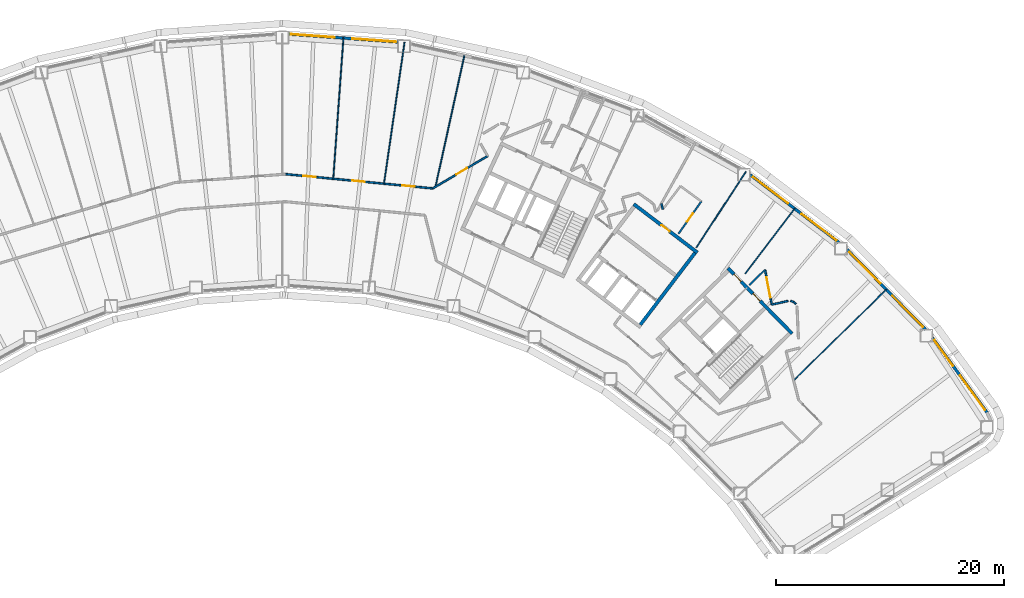
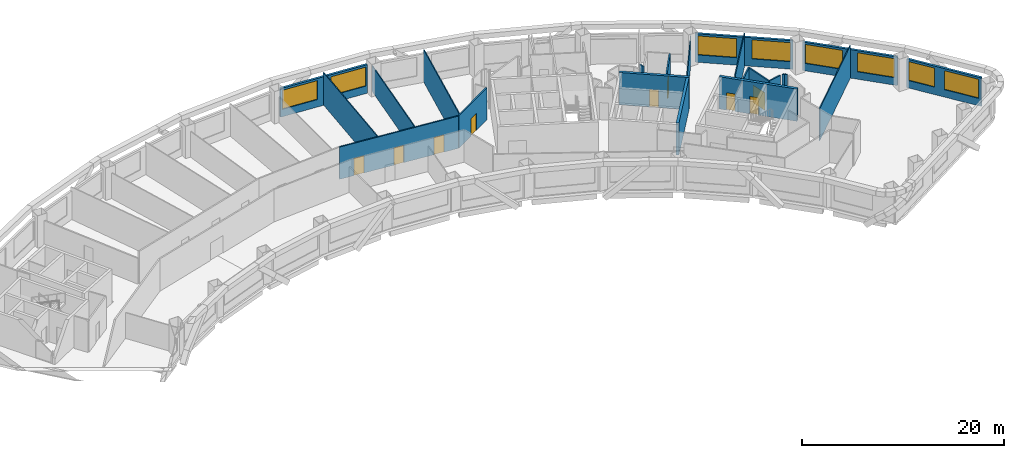
# One storey, part 8 of 16: 22 walls, 9 doors, 8 windows, 17 openings.
"""IFC4 building model written with IfcOpenShell, lengths in metres."""

from ifc_helpers import new_model, si_unit, direction, frame, frame_2d, origin, place, context, subcontext, project, spatial, rectangle, extrude, material, layer, layer_set, type_object, element, fill, save


model = new_model("IFC4")

# Units and contexts
model_context = context("Model", 3, precision=1e-05, world=origin(), true_north=direction((0.0, 1.0)))
body_context = subcontext(model_context, "Body", "Model", "MODEL_VIEW")
ifc_project = project(units=[si_unit("LENGTHUNIT", "METRE"), si_unit("AREAUNIT", "SQUARE_METRE"), si_unit("VOLUMEUNIT", "CUBIC_METRE"), si_unit("PLANEANGLEUNIT", "RADIAN"), si_unit("MASSUNIT", "GRAM", prefix="KILO")], contexts=[model_context])

# Site, building, storey
site_placement = place(None, origin())
site = spatial("IfcSite", under=ifc_project, at=site_placement, CompositionType="ELEMENT")
building_placement = place(site_placement, origin())
building = spatial("IfcBuilding", under=site, at=building_placement, Name="Tuul Gate Civic Tower", CompositionType="ELEMENT")
storey_placement = place(building_placement, frame((0.0, 0.0, 124.5)))
storey = spatial("IfcBuildingStorey", under=building, at=storey_placement, Name="Level 28", CompositionType="ELEMENT", Elevation=124.5)

# Wall, openings, doors
ifc_material_1 = material(Name="Concrete C50/60", Category="concrete")
ifc_layer_1 = layer(ifc_material_1, 0.300048828125)
ifc_layer_set_1 = layer_set([ifc_layer_1], Name="Concrete C50/60")
wall_type_1 = type_object("IfcWallType", Name="Core wall C50/60", PredefinedType="SHEAR", material=ifc_layer_set_1)
wall_1_placement = place(storey_placement, frame((54.43798828125, -12.23779296875, 0.0), z_axis=(0.0, 0.0, 1.0), x_axis=(-0.700021979774, 0.714121297703, 0.0)))
wall_1 = element("IfcWall", 1, at=wall_1_placement, inside=storey, type_object=wall_type_1, Name="Core wall", PredefinedType="SHEAR", context=body_context, shape_type="SweptSolid", body=[
    extrude(rectangle(XDim=8.0, YDim=0.300048828125, at=frame_2d((4.0, 0.0))), origin(), (0.0, 0.0, 1.0), 3.89990234375),
])
opening_1_placement = place(wall_1_placement, frame((3.987548828125, 0.0, 0.0)))
opening_1 = element("IfcOpeningElement", 2, at=opening_1_placement, cuts=wall_1, Name="Opening I-D29", PredefinedType="OPENING", context=body_context, shape_type="SweptSolid", body=[
    extrude(rectangle(XDim=0.89990234375, YDim=2.10009765625, at=frame_2d((0.449951171875, 1.050048828125))), frame((0.0, 0.16015625, 0.0), z_axis=(0.0, -1.0, 0.0), x_axis=(1.0, 0.0, 0.0)), (0.0, 0.0, 1.0), 0.320068359375),
])
opening_2_placement = place(wall_1_placement, frame((6.362548828125, 0.0, 0.0)))
opening_2 = element("IfcOpeningElement", 3, at=opening_2_placement, cuts=wall_1, Name="Opening I-D30", PredefinedType="OPENING", context=body_context, shape_type="SweptSolid", body=[
    extrude(rectangle(XDim=0.89990234375, YDim=2.10009765625, at=frame_2d((0.449951171875, 1.050048828125))), frame((0.0, 0.16015625, 0.0), z_axis=(0.0, -1.0, 0.0), x_axis=(1.0, 0.0, 0.0)), (0.0, 0.0, 1.0), 0.320068359375),
])
ifc_material_2 = material(Name="Timber door leaf", Category="wood")
door_type_1 = type_object("IfcDoorType", Name="Door D09", OperationType="NOTDEFINED", PredefinedType="DOOR", material=ifc_material_2)
door_1_placement = place(opening_1_placement, origin())
door_1 = element("IfcDoor", 4, at=door_1_placement, inside=storey, type_object=door_type_1, Name="Door I-D29", OperationType="SINGLE_SWING_LEFT", OverallHeight=2.10009765625, OverallWidth=0.89990234375, PredefinedType="DOOR", context=body_context, shape_type="SweptSolid", body=[
    extrude(rectangle(XDim=0.89990234375, YDim=2.10009765625, at=frame_2d((0.449951171875, 1.050048828125))), frame((0.0, 0.02490234375, 0.0), z_axis=(0.0, -1.0, 0.0), x_axis=(1.0, 0.0, 0.0)), (0.0, 0.0, 1.0), 0.050048828125),
])
fill(opening_1, door_1)
door_2_placement = place(opening_2_placement, origin())
door_2 = element("IfcDoor", 5, at=door_2_placement, inside=storey, type_object=door_type_1, Name="Door I-D30", OperationType="SINGLE_SWING_LEFT", OverallHeight=2.10009765625, OverallWidth=0.89990234375, PredefinedType="DOOR", context=body_context, shape_type="SweptSolid", body=[
    extrude(rectangle(XDim=0.89990234375, YDim=2.10009765625, at=frame_2d((0.449951171875, 1.050048828125))), frame((0.0, 0.02490234375, 0.0), z_axis=(0.0, -1.0, 0.0), x_axis=(1.0, 0.0, 0.0)), (0.0, 0.0, 1.0), 0.050048828125),
])
fill(opening_2, door_2)

# Wall, opening, door
ifc_material_3 = material(Name="Gypsum board partition")
ifc_layer_2 = layer(ifc_material_3, 0.14990234375)
ifc_layer_set_2 = layer_set([ifc_layer_2], Name="Gypsum board partition")
wall_type_2 = type_object("IfcWallType", Name="Corridor wall P150", PredefinedType="PARTITIONING", material=ifc_layer_set_2)
wall_2_placement = place(storey_placement, frame((52.0830078125, -6.65283203125, 0.0), z_axis=(0.0, 0.0, 1.0), x_axis=(0.1884978137, -0.982073609375, 0.0)))
wall_2 = element("IfcWall", 6, at=wall_2_placement, inside=storey, type_object=wall_type_2, Name="p006", PredefinedType="PARTITIONING", context=body_context, shape_type="SweptSolid", body=[
    extrude(rectangle(XDim=3.1083984375, YDim=0.14990234375, at=frame_2d((1.55419921875, 0.0))), origin(), (0.0, 0.0, 1.0), 3.89990234375),
])
opening_3_placement = place(wall_2_placement, frame((0.676025390625, 0.0, 0.0)))
opening_3 = element("IfcOpeningElement", 7, at=opening_3_placement, cuts=wall_2, Name="Opening I-D02", PredefinedType="OPENING", context=body_context, shape_type="SweptSolid", body=[
    extrude(rectangle(XDim=1.800048828125, YDim=2.10009765625, at=frame_2d((0.89990234375, 1.050048828125))), frame((0.0, 0.0849609375, 0.0), z_axis=(0.0, -1.0, 0.0), x_axis=(1.0, 0.0, 0.0)), (0.0, 0.0, 1.0), 0.169921875),
])
ifc_material_4 = material(Name="Timber door leaf, double", Category="wood")
door_type_2 = type_object("IfcDoorType", Name="Door D18", OperationType="DOUBLE_DOOR_SINGLE_SWING", PredefinedType="DOOR", material=ifc_material_4)
door_3_placement = place(opening_3_placement, origin())
door_3 = element("IfcDoor", 8, at=door_3_placement, inside=storey, type_object=door_type_2, Name="Door I-D02", OperationType="DOUBLE_DOOR_SINGLE_SWING", OverallHeight=2.10009765625, OverallWidth=1.800048828125, PredefinedType="DOOR", context=body_context, shape_type="SweptSolid", body=[
    extrude(rectangle(XDim=1.800048828125, YDim=2.10009765625, at=frame_2d((0.89990234375, 1.050048828125))), frame((0.0, 0.02490234375, 0.0), z_axis=(0.0, -1.0, 0.0), x_axis=(1.0, 0.0, 0.0)), (0.0, 0.0, 1.0), 0.050048828125),
])
fill(opening_3, door_3)

# Walls
wall_3_placement = place(storey_placement, frame((54.574951171875, -9.47265625, 0.0), z_axis=(0.0, 0.0, 1.0), x_axis=(0.741948737012, -0.670456614291, 0.0)))
element("IfcWall", 9, at=wall_3_placement, inside=storey, type_object=wall_type_2, Name="p011", PredefinedType="PARTITIONING", context=body_context, shape_type="SweptSolid", body=[
    extrude(rectangle(XDim=0.280029296875, YDim=0.14990234375, at=frame_2d((0.14013671875, 0.0))), origin(), (0.0, 0.0, 1.0), 3.89990234375),
])
wall_4_placement = place(storey_placement, frame((54.3115234375, -9.37890625, 0.0), z_axis=(0.0, 0.0, 1.0), x_axis=(0.942116656324, -0.335285260453, 0.0)))
element("IfcWall", 10, at=wall_4_placement, inside=storey, type_object=wall_type_2, Name="p012", PredefinedType="PARTITIONING", context=body_context, shape_type="SweptSolid", body=[
    extrude(rectangle(XDim=0.279541015625, YDim=0.14990234375, at=frame_2d((0.1396484375, 0.0))), origin(), (0.0, 0.0, 1.0), 3.89990234375),
])
wall_5_placement = place(storey_placement, frame((52.6689453125, -9.70556640625, 0.0), z_axis=(0.0, 0.0, 1.0), x_axis=(0.976359687443, 0.216152170325, 0.0)))
element("IfcWall", 11, at=wall_5_placement, inside=storey, type_object=wall_type_2, Name="p013", PredefinedType="PARTITIONING", context=body_context, shape_type="SweptSolid", body=[
    extrude(rectangle(XDim=1.461669921875, YDim=0.14990234375, at=frame_2d((0.73095703125, 0.0))), origin(), (0.0, 0.0, 1.0), 3.89990234375),
])
wall_6_placement = place(storey_placement, frame((50.70654296875, -8.002685546875, 0.0), z_axis=(0.0, 0.0, 1.0), x_axis=(0.713912679862, 0.700234736022, 0.0)))
element("IfcWall", 12, at=wall_6_placement, inside=storey, type_object=wall_type_2, Name="p014", PredefinedType="PARTITIONING", context=body_context, shape_type="SweptSolid", body=[
    extrude(rectangle(XDim=1.927734375, YDim=0.14990234375, at=frame_2d((0.9638671875, 0.0))), origin(), (0.0, 0.0, 1.0), 3.89990234375),
])

# Wall, opening, door
wall_7_placement = place(storey_placement, frame((44.500244140625, -3.51318359375, 0.0), z_axis=(0.0, 0.0, 1.0), x_axis=(0.57627176107, 0.81725813388, 0.0)))
wall_7 = element("IfcWall", 13, at=wall_7_placement, inside=storey, type_object=wall_type_2, Name="p019", PredefinedType="PARTITIONING", context=body_context, shape_type="SweptSolid", body=[
    extrude(rectangle(XDim=3.471923828125, YDim=0.14990234375, at=frame_2d((1.73583984375, 0.0))), origin(), (0.0, 0.0, 1.0), 3.89990234375),
])
opening_4_placement = place(wall_7_placement, frame((1.285888671875, 0.0, 0.0)))
opening_4 = element("IfcOpeningElement", 14, at=opening_4_placement, cuts=wall_7, Name="Opening I-D041", PredefinedType="OPENING", context=body_context, shape_type="SweptSolid", body=[
    extrude(rectangle(XDim=0.89990234375, YDim=2.10009765625, at=frame_2d((0.449951171875, 1.050048828125))), frame((0.0, 0.0849609375, 0.0), z_axis=(0.0, -1.0, 0.0), x_axis=(1.0, 0.0, 0.0)), (0.0, 0.0, 1.0), 0.169921875),
])
door_4_placement = place(opening_4_placement, frame((0.89990234375, 0.0, 0.0), z_axis=(0.0, 0.0, 1.0), x_axis=(-1.0, 0.0, 0.0)))
door_4 = element("IfcDoor", 15, at=door_4_placement, inside=storey, type_object=door_type_1, Name="Door I-D04", OperationType="SINGLE_SWING_RIGHT", OverallHeight=2.10009765625, OverallWidth=0.89990234375, PredefinedType="DOOR", context=body_context, shape_type="SweptSolid", body=[
    extrude(rectangle(XDim=0.89990234375, YDim=2.10009765625, at=frame_2d((0.449951171875, 1.050048828125))), frame((0.0, 0.02490234375, 0.0), z_axis=(0.0, -1.0, 0.0), x_axis=(1.0, 0.0, 0.0)), (0.0, 0.0, 1.0), 0.050048828125),
])
fill(opening_4, door_4)

# Wall
wall_8_placement = place(storey_placement, frame((43.00244140625, -0.87060546875, 0.0), z_axis=(0.0, 0.0, 1.0), x_axis=(0.266113037433, -0.963941829836, 0.0)))
element("IfcWall", 16, at=wall_8_placement, inside=storey, type_object=wall_type_2, Name="p024", PredefinedType="PARTITIONING", context=body_context, shape_type="SweptSolid", body=[
    extrude(rectangle(XDim=0.510009765625, YDim=0.14990234375, at=frame_2d((0.2548828125, 0.0))), origin(), (0.0, 0.0, 1.0), 3.89990234375),
])

# Wall, opening, door
wall_9_placement = place(storey_placement, frame((23.002197265625, 0.4658203125, 0.0), z_axis=(0.0, 0.0, 1.0), x_axis=(0.861394869743, 0.507935899873, 0.0)))
wall_9 = element("IfcWall", 17, at=wall_9_placement, inside=storey, type_object=wall_type_2, Name="p047", PredefinedType="PARTITIONING", context=body_context, shape_type="SweptSolid", body=[
    extrude(rectangle(XDim=5.578857421875, YDim=0.14990234375, at=frame_2d((2.78955078125, 0.0))), origin(), (0.0, 0.0, 1.0), 3.89990234375),
])
opening_5_placement = place(wall_9_placement, frame((2.372314453125, 0.0, 0.0)))
opening_5 = element("IfcOpeningElement", 18, at=opening_5_placement, cuts=wall_9, Name="Opening I-D07", PredefinedType="OPENING", context=body_context, shape_type="SweptSolid", body=[
    extrude(rectangle(XDim=1.10009765625, YDim=2.10009765625, at=frame_2d((0.550048828125, 1.050048828125))), frame((0.0, 0.0849609375, 0.0), z_axis=(0.0, -1.0, 0.0), x_axis=(1.0, 0.0, 0.0)), (0.0, 0.0, 1.0), 0.169921875),
])
ifc_material_5 = material(Name="Timber door leaf", Category="wood")
door_type_3 = type_object("IfcDoorType", Name="Door D11", OperationType="NOTDEFINED", PredefinedType="DOOR", material=ifc_material_5)
door_5_placement = place(opening_5_placement, origin())
door_5 = element("IfcDoor", 19, at=door_5_placement, inside=storey, type_object=door_type_3, Name="Door I-D07", OperationType="SINGLE_SWING_RIGHT", OverallHeight=2.10009765625, OverallWidth=1.10009765625, PredefinedType="DOOR", context=body_context, shape_type="SweptSolid", body=[
    extrude(rectangle(XDim=1.10009765625, YDim=2.10009765625, at=frame_2d((0.550048828125, 1.050048828125))), frame((0.0, 0.02490234375, 0.0), z_axis=(0.0, -1.0, 0.0), x_axis=(1.0, 0.0, 0.0)), (0.0, 0.0, 1.0), 0.050048828125),
])
fill(opening_5, door_5)

# Wall, openings, doors
wall_10_placement = place(storey_placement, frame((10.10693359375, 1.712158203125, 0.0), z_axis=(0.0, 0.0, 1.0), x_axis=(0.995326823209, -0.096563528315, 0.0)))
wall_10 = element("IfcWall", 20, at=wall_10_placement, inside=storey, type_object=wall_type_2, Name="p060", PredefinedType="PARTITIONING", context=body_context, shape_type="SweptSolid", body=[
    extrude(rectangle(XDim=12.9423828125, YDim=0.14990234375, at=frame_2d((6.47119140625, 0.0))), origin(), (0.0, 0.0, 1.0), 3.89990234375),
])
opening_6_placement = place(wall_10_placement, frame((10.25048828125, 0.0, 0.0)))
opening_6 = element("IfcOpeningElement", 21, at=opening_6_placement, cuts=wall_10, Name="Opening I-D08", PredefinedType="OPENING", context=body_context, shape_type="SweptSolid", body=[
    extrude(rectangle(XDim=1.10009765625, YDim=2.10009765625, at=frame_2d((0.550048828125, 1.050048828125))), frame((0.0, 0.0849609375, 0.0), z_axis=(0.0, -1.0, 0.0), x_axis=(1.0, 0.0, 0.0)), (0.0, 0.0, 1.0), 0.169921875),
])
opening_7_placement = place(wall_10_placement, frame((5.8779296875, 0.0, 0.0)))
opening_7 = element("IfcOpeningElement", 22, at=opening_7_placement, cuts=wall_10, Name="Opening I-D09", PredefinedType="OPENING", context=body_context, shape_type="SweptSolid", body=[
    extrude(rectangle(XDim=1.10009765625, YDim=2.10009765625, at=frame_2d((0.550048828125, 1.050048828125))), frame((0.0, 0.0849609375, 0.0), z_axis=(0.0, -1.0, 0.0), x_axis=(1.0, 0.0, 0.0)), (0.0, 0.0, 1.0), 0.169921875),
])
opening_8_placement = place(wall_10_placement, frame((1.548583984375, 0.0, 0.0)))
opening_8 = element("IfcOpeningElement", 23, at=opening_8_placement, cuts=wall_10, Name="Opening I-D10", PredefinedType="OPENING", context=body_context, shape_type="SweptSolid", body=[
    extrude(rectangle(XDim=1.10009765625, YDim=2.10009765625, at=frame_2d((0.550048828125, 1.050048828125))), frame((0.0, 0.0849609375, 0.0), z_axis=(0.0, -1.0, 0.0), x_axis=(1.0, 0.0, 0.0)), (0.0, 0.0, 1.0), 0.169921875),
])
door_6_placement = place(opening_6_placement, origin())
door_6 = element("IfcDoor", 24, at=door_6_placement, inside=storey, type_object=door_type_3, Name="Door I-D08", OperationType="SINGLE_SWING_RIGHT", OverallHeight=2.10009765625, OverallWidth=1.10009765625, PredefinedType="DOOR", context=body_context, shape_type="SweptSolid", body=[
    extrude(rectangle(XDim=1.10009765625, YDim=2.10009765625, at=frame_2d((0.550048828125, 1.050048828125))), frame((0.0, 0.02490234375, 0.0), z_axis=(0.0, -1.0, 0.0), x_axis=(1.0, 0.0, 0.0)), (0.0, 0.0, 1.0), 0.050048828125),
])
fill(opening_6, door_6)
door_7_placement = place(opening_7_placement, origin())
door_7 = element("IfcDoor", 25, at=door_7_placement, inside=storey, type_object=door_type_3, Name="Door I-D09", OperationType="SINGLE_SWING_RIGHT", OverallHeight=2.10009765625, OverallWidth=1.10009765625, PredefinedType="DOOR", context=body_context, shape_type="SweptSolid", body=[
    extrude(rectangle(XDim=1.10009765625, YDim=2.10009765625, at=frame_2d((0.550048828125, 1.050048828125))), frame((0.0, 0.02490234375, 0.0), z_axis=(0.0, -1.0, 0.0), x_axis=(1.0, 0.0, 0.0)), (0.0, 0.0, 1.0), 0.050048828125),
])
fill(opening_7, door_7)
door_8_placement = place(opening_8_placement, origin())
door_8 = element("IfcDoor", 26, at=door_8_placement, inside=storey, type_object=door_type_3, Name="Door I-D10", OperationType="SINGLE_SWING_RIGHT", OverallHeight=2.10009765625, OverallWidth=1.10009765625, PredefinedType="DOOR", context=body_context, shape_type="SweptSolid", body=[
    extrude(rectangle(XDim=1.10009765625, YDim=2.10009765625, at=frame_2d((0.550048828125, 1.050048828125))), frame((0.0, 0.02490234375, 0.0), z_axis=(0.0, -1.0, 0.0), x_axis=(1.0, 0.0, 0.0)), (0.0, 0.0, 1.0), 0.050048828125),
])
fill(opening_8, door_8)

# Wall, openings, windows
ifc_material_6 = material(Name="Precast concrete C40/50", Category="concrete")
ifc_layer_3 = layer(ifc_material_6, 0.25)
ifc_layer_set_3 = layer_set([ifc_layer_3], Name="Precast concrete C40/50")
wall_type_3 = type_object("IfcWallType", Name="External wall", PredefinedType="STANDARD", material=ifc_layer_set_3)
wall_11_placement = place(storey_placement, frame((71.51806640625, -19.15869140625, 0.0), z_axis=(0.0, 0.0, 1.0), x_axis=(-0.589826474226, 0.807530018205, 0.0)))
wall_11 = element("IfcWall", 27, at=wall_11_placement, inside=storey, type_object=wall_type_3, Name="External wall", PredefinedType="STANDARD", context=body_context, shape_type="SweptSolid", body=[
    extrude(rectangle(XDim=8.082275390625, YDim=0.25, at=frame_2d((4.041015625, 0.0))), origin(), (0.0, 0.0, 1.0), 3.449951171875),
])
opening_9_placement = place(wall_11_placement, frame((0.30078125, 0.0, 0.89990234375)))
opening_9 = element("IfcOpeningElement", 28, at=opening_9_placement, cuts=wall_11, Name="Opening W21", PredefinedType="OPENING", context=body_context, shape_type="SweptSolid", body=[
    extrude(rectangle(XDim=3.699951171875, YDim=2.300048828125, at=frame_2d((1.85009765625, 1.14990234375))), frame((0.0, 0.135009765625, 0.0), z_axis=(0.0, -1.0, 0.0), x_axis=(1.0, 0.0, 0.0)), (0.0, 0.0, 1.0), 0.27001953125),
])
opening_10_placement = place(wall_11_placement, frame((5.052001953125, 0.0, 0.89990234375)))
opening_10 = element("IfcOpeningElement", 29, at=opening_10_placement, cuts=wall_11, Name="Opening W23", PredefinedType="OPENING", context=body_context, shape_type="SweptSolid", body=[
    extrude(rectangle(XDim=2.800048828125, YDim=2.300048828125, at=frame_2d((1.39990234375, 1.14990234375))), frame((0.0, 0.135009765625, 0.0), z_axis=(0.0, -1.0, 0.0), x_axis=(1.0, 0.0, 0.0)), (0.0, 0.0, 1.0), 0.27001953125),
])
ifc_material_7 = material(Name="Glass", Category="glass")
window_type_1 = type_object("IfcWindowType", Name="Window W21 3700 x 2300", PartitioningType="SINGLE_PANEL", PredefinedType="WINDOW", material=ifc_material_7)
window_1_placement = place(opening_9_placement, origin())
window_1 = element("IfcWindow", 30, at=window_1_placement, inside=storey, type_object=window_type_1, Name="Window", OverallHeight=2.300048828125, OverallWidth=3.699951171875, PartitioningType="SINGLE_PANEL", PredefinedType="WINDOW", context=body_context, shape_type="SweptSolid", body=[
    extrude(rectangle(XDim=3.699951171875, YDim=2.300048828125, at=frame_2d((1.85009765625, 1.14990234375))), frame((0.0, 0.030029296875, 0.0), z_axis=(0.0, -1.0, 0.0), x_axis=(1.0, 0.0, 0.0)), (0.0, 0.0, 1.0), 0.06005859375),
])
fill(opening_9, window_1)
ifc_material_8 = material(Name="Glass", Category="glass")
window_type_2 = type_object("IfcWindowType", Name="Window W23 2800 x 2300", PartitioningType="SINGLE_PANEL", PredefinedType="WINDOW", material=ifc_material_8)
window_2_placement = place(opening_10_placement, origin())
window_2 = element("IfcWindow", 31, at=window_2_placement, inside=storey, type_object=window_type_2, Name="Window", OverallHeight=2.300048828125, OverallWidth=2.800048828125, PartitioningType="SINGLE_PANEL", PredefinedType="WINDOW", context=body_context, shape_type="SweptSolid", body=[
    extrude(rectangle(XDim=2.800048828125, YDim=2.300048828125, at=frame_2d((1.39990234375, 1.14990234375))), frame((0.0, 0.030029296875, 0.0), z_axis=(0.0, -1.0, 0.0), x_axis=(1.0, 0.0, 0.0)), (0.0, 0.0, 1.0), 0.06005859375),
])
fill(opening_10, window_2)

wall_12_placement = place(storey_placement, frame((66.1162109375, -11.87890625, 0.0), z_axis=(0.0, 0.0, 1.0), x_axis=(-0.700013456131, 0.714129652959, 0.0)))
wall_12 = element("IfcWall", 32, at=wall_12_placement, inside=storey, type_object=wall_type_3, Name="External wall", PredefinedType="STANDARD", context=body_context, shape_type="SweptSolid", body=[
    extrude(rectangle(XDim=9.771728515625, YDim=0.25, at=frame_2d((4.8857421875, 0.0))), origin(), (0.0, 0.0, 1.0), 3.449951171875),
])
opening_11_placement = place(wall_12_placement, frame((0.275634765625, 0.0, 0.89990234375)))
opening_11 = element("IfcOpeningElement", 33, at=opening_11_placement, cuts=wall_12, Name="Opening W22", PredefinedType="OPENING", context=body_context, shape_type="SweptSolid", body=[
    extrude(rectangle(XDim=3.85009765625, YDim=2.300048828125, at=frame_2d((1.925048828125, 1.14990234375))), frame((0.0, 0.135009765625, 0.0), z_axis=(0.0, -1.0, 0.0), x_axis=(1.0, 0.0, 0.0)), (0.0, 0.0, 1.0), 0.27001953125),
])
opening_12_placement = place(wall_12_placement, frame((5.64697265625, 0.0, 0.89990234375)))
opening_12 = element("IfcOpeningElement", 34, at=opening_12_placement, cuts=wall_12, Name="Opening W22", PredefinedType="OPENING", context=body_context, shape_type="SweptSolid", body=[
    extrude(rectangle(XDim=3.85009765625, YDim=2.300048828125, at=frame_2d((1.925048828125, 1.14990234375))), frame((0.0, 0.135009765625, 0.0), z_axis=(0.0, -1.0, 0.0), x_axis=(1.0, 0.0, 0.0)), (0.0, 0.0, 1.0), 0.27001953125),
])
ifc_material_9 = material(Name="Glass", Category="glass")
window_type_3 = type_object("IfcWindowType", Name="Window W22 3850 x 2300", PartitioningType="SINGLE_PANEL", PredefinedType="WINDOW", material=ifc_material_9)
window_3_placement = place(opening_11_placement, origin())
window_3 = element("IfcWindow", 35, at=window_3_placement, inside=storey, type_object=window_type_3, Name="Window", OverallHeight=2.300048828125, OverallWidth=3.85009765625, PartitioningType="SINGLE_PANEL", PredefinedType="WINDOW", context=body_context, shape_type="SweptSolid", body=[
    extrude(rectangle(XDim=3.85009765625, YDim=2.300048828125, at=frame_2d((1.925048828125, 1.14990234375))), frame((0.0, 0.030029296875, 0.0), z_axis=(0.0, -1.0, 0.0), x_axis=(1.0, 0.0, 0.0)), (0.0, 0.0, 1.0), 0.06005859375),
])
fill(opening_11, window_3)
window_4_placement = place(opening_12_placement, origin())
window_4 = element("IfcWindow", 36, at=window_4_placement, inside=storey, type_object=window_type_3, Name="Window", OverallHeight=2.300048828125, OverallWidth=3.85009765625, PartitioningType="SINGLE_PANEL", PredefinedType="WINDOW", context=body_context, shape_type="SweptSolid", body=[
    extrude(rectangle(XDim=3.85009765625, YDim=2.300048828125, at=frame_2d((1.925048828125, 1.14990234375))), frame((0.0, 0.030029296875, 0.0), z_axis=(0.0, -1.0, 0.0), x_axis=(1.0, 0.0, 0.0)), (0.0, 0.0, 1.0), 0.06005859375),
])
fill(opening_12, window_4)

wall_13_placement = place(storey_placement, frame((58.540283203125, -4.25390625, 0.0), z_axis=(0.0, 0.0, 1.0), x_axis=(-0.795623043201, 0.605792021346, 0.0)))
wall_13 = element("IfcWall", 37, at=wall_13_placement, inside=storey, type_object=wall_type_3, Name="External wall", PredefinedType="STANDARD", context=body_context, shape_type="SweptSolid", body=[
    extrude(rectangle(XDim=9.75244140625, YDim=0.25, at=frame_2d((4.876220703125, 0.0))), origin(), (0.0, 0.0, 1.0), 3.449951171875),
])
opening_13_placement = place(wall_13_placement, frame((0.24658203125, 0.0, 0.89990234375)))
opening_13 = element("IfcOpeningElement", 38, at=opening_13_placement, cuts=wall_13, Name="Opening W22", PredefinedType="OPENING", context=body_context, shape_type="SweptSolid", body=[
    extrude(rectangle(XDim=3.85009765625, YDim=2.300048828125, at=frame_2d((1.925048828125, 1.14990234375))), frame((0.0, 0.135009765625, 0.0), z_axis=(0.0, -1.0, 0.0), x_axis=(1.0, 0.0, 0.0)), (0.0, 0.0, 1.0), 0.27001953125),
])
opening_14_placement = place(wall_13_placement, frame((5.617919921875, 0.0, 0.89990234375)))
opening_14 = element("IfcOpeningElement", 39, at=opening_14_placement, cuts=wall_13, Name="Opening W22", PredefinedType="OPENING", context=body_context, shape_type="SweptSolid", body=[
    extrude(rectangle(XDim=3.85009765625, YDim=2.300048828125, at=frame_2d((1.925048828125, 1.14990234375))), frame((0.0, 0.135009765625, 0.0), z_axis=(0.0, -1.0, 0.0), x_axis=(1.0, 0.0, 0.0)), (0.0, 0.0, 1.0), 0.27001953125),
])
window_5_placement = place(opening_13_placement, origin())
window_5 = element("IfcWindow", 40, at=window_5_placement, inside=storey, type_object=window_type_3, Name="Window", OverallHeight=2.300048828125, OverallWidth=3.85009765625, PartitioningType="SINGLE_PANEL", PredefinedType="WINDOW", context=body_context, shape_type="SweptSolid", body=[
    extrude(rectangle(XDim=3.85009765625, YDim=2.300048828125, at=frame_2d((1.925048828125, 1.14990234375))), frame((0.0, 0.030029296875, 0.0), z_axis=(0.0, -1.0, 0.0), x_axis=(1.0, 0.0, 0.0)), (0.0, 0.0, 1.0), 0.06005859375),
])
fill(opening_13, window_5)
window_6_placement = place(opening_14_placement, origin())
window_6 = element("IfcWindow", 41, at=window_6_placement, inside=storey, type_object=window_type_3, Name="Window", OverallHeight=2.300048828125, OverallWidth=3.85009765625, PartitioningType="SINGLE_PANEL", PredefinedType="WINDOW", context=body_context, shape_type="SweptSolid", body=[
    extrude(rectangle(XDim=3.85009765625, YDim=2.300048828125, at=frame_2d((1.925048828125, 1.14990234375))), frame((0.0, 0.030029296875, 0.0), z_axis=(0.0, -1.0, 0.0), x_axis=(1.0, 0.0, 0.0)), (0.0, 0.0, 1.0), 0.06005859375),
])
fill(opening_14, window_6)

wall_14_placement = place(storey_placement, frame((19.927978515625, 13.2802734375, 0.0), z_axis=(0.0, 0.0, 1.0), x_axis=(-0.997379785239, 0.072343375623, 0.0)))
wall_14 = element("IfcWall", 42, at=wall_14_placement, inside=storey, type_object=wall_type_3, Name="External wall", PredefinedType="STANDARD", context=body_context, shape_type="SweptSolid", body=[
    extrude(rectangle(XDim=9.57421875, YDim=0.25, at=frame_2d((4.787109375, 0.0))), origin(), (0.0, 0.0, 1.0), 3.449951171875),
])
opening_15_placement = place(wall_14_placement, frame((0.153076171875, 0.0, 0.89990234375)))
opening_15 = element("IfcOpeningElement", 43, at=opening_15_placement, cuts=wall_14, Name="Opening W22", PredefinedType="OPENING", context=body_context, shape_type="SweptSolid", body=[
    extrude(rectangle(XDim=3.85009765625, YDim=2.300048828125, at=frame_2d((1.925048828125, 1.14990234375))), frame((0.0, 0.135009765625, 0.0), z_axis=(0.0, -1.0, 0.0), x_axis=(1.0, 0.0, 0.0)), (0.0, 0.0, 1.0), 0.27001953125),
])
opening_16_placement = place(wall_14_placement, frame((5.524169921875, 0.0, 0.89990234375)))
opening_16 = element("IfcOpeningElement", 44, at=opening_16_placement, cuts=wall_14, Name="Opening W22", PredefinedType="OPENING", context=body_context, shape_type="SweptSolid", body=[
    extrude(rectangle(XDim=3.85009765625, YDim=2.300048828125, at=frame_2d((1.925048828125, 1.14990234375))), frame((0.0, 0.135009765625, 0.0), z_axis=(0.0, -1.0, 0.0), x_axis=(1.0, 0.0, 0.0)), (0.0, 0.0, 1.0), 0.27001953125),
])
window_7_placement = place(opening_15_placement, origin())
window_7 = element("IfcWindow", 45, at=window_7_placement, inside=storey, type_object=window_type_3, Name="Window", OverallHeight=2.300048828125, OverallWidth=3.85009765625, PartitioningType="SINGLE_PANEL", PredefinedType="WINDOW", context=body_context, shape_type="SweptSolid", body=[
    extrude(rectangle(XDim=3.85009765625, YDim=2.300048828125, at=frame_2d((1.925048828125, 1.14990234375))), frame((0.0, 0.030029296875, 0.0), z_axis=(0.0, -1.0, 0.0), x_axis=(1.0, 0.0, 0.0)), (0.0, 0.0, 1.0), 0.06005859375),
])
fill(opening_15, window_7)
window_8_placement = place(opening_16_placement, origin())
window_8 = element("IfcWindow", 46, at=window_8_placement, inside=storey, type_object=window_type_3, Name="Window", OverallHeight=2.300048828125, OverallWidth=3.85009765625, PartitioningType="SINGLE_PANEL", PredefinedType="WINDOW", context=body_context, shape_type="SweptSolid", body=[
    extrude(rectangle(XDim=3.85009765625, YDim=2.300048828125, at=frame_2d((1.925048828125, 1.14990234375))), frame((0.0, 0.030029296875, 0.0), z_axis=(0.0, -1.0, 0.0), x_axis=(1.0, 0.0, 0.0)), (0.0, 0.0, 1.0), 0.06005859375),
])
fill(opening_16, window_8)

# Wall, opening, door
ifc_material_10 = material(Name="Concrete C40/50", Category="concrete")
ifc_layer_4 = layer(ifc_material_10, 0.300048828125)
ifc_layer_set_4 = layer_set([ifc_layer_4], Name="Concrete C40/50")
wall_type_4 = type_object("IfcWallType", Name="Lift shaft wall C40/50", PredefinedType="STANDARD", material=ifc_layer_set_4)
wall_15_placement = place(storey_placement, frame((46.1591796875, -5.1533203125, 0.0), z_axis=(0.0, 0.0, 1.0), x_axis=(-0.795579811045, 0.605848796531, 0.0)))
wall_15 = element("IfcWall", 47, at=wall_15_placement, inside=storey, type_object=wall_type_4, Name="Shaft wall", PredefinedType="STANDARD", context=body_context, shape_type="SweptSolid", body=[
    extrude(rectangle(XDim=7.0, YDim=0.300048828125, at=frame_2d((3.5, 0.0))), origin(), (0.0, 0.0, 1.0), 3.89990234375),
])
opening_17_placement = place(wall_15_placement, frame((3.050048828125, 0.0, 0.0)))
opening_17 = element("IfcOpeningElement", 48, at=opening_17_placement, cuts=wall_15, Name="Opening I-D28", PredefinedType="OPENING", context=body_context, shape_type="SweptSolid", body=[
    extrude(rectangle(XDim=0.89990234375, YDim=2.10009765625, at=frame_2d((0.449951171875, 1.050048828125))), frame((0.0, 0.16015625, 0.0), z_axis=(0.0, -1.0, 0.0), x_axis=(1.0, 0.0, 0.0)), (0.0, 0.0, 1.0), 0.320068359375),
])
door_9_placement = place(opening_17_placement, origin())
door_9 = element("IfcDoor", 49, at=door_9_placement, inside=storey, type_object=door_type_1, Name="Door I-D28", OperationType="SINGLE_SWING_LEFT", OverallHeight=2.10009765625, OverallWidth=0.89990234375, PredefinedType="DOOR", context=body_context, shape_type="SweptSolid", body=[
    extrude(rectangle(XDim=0.89990234375, YDim=2.10009765625, at=frame_2d((0.449951171875, 1.050048828125))), frame((0.0, 0.02490234375, 0.0), z_axis=(0.0, -1.0, 0.0), x_axis=(1.0, 0.0, 0.0)), (0.0, 0.0, 1.0), 0.050048828125),
])
fill(opening_17, door_9)

# Walls
wall_16_placement = place(storey_placement, frame((41.163330078125, -11.46728515625, 0.0), z_axis=(0.0, 0.0, 1.0), x_axis=(0.605784332699, 0.795628897324, 0.0)))
element("IfcWall", 50, at=wall_16_placement, inside=storey, type_object=wall_type_4, Name="Shaft wall", PredefinedType="STANDARD", context=body_context, shape_type="SweptSolid", body=[
    extrude(rectangle(XDim=7.89990234375, YDim=0.300048828125, at=frame_2d((3.949951171875, 0.0))), origin(), (0.0, 0.0, 1.0), 3.89990234375),
])
ifc_material_11 = material(Name="Gypsum board partition")
ifc_layer_5 = layer(ifc_material_11, 0.10009765625)
ifc_layer_set_5 = layer_set([ifc_layer_5], Name="Gypsum board partition")
wall_type_5 = type_object("IfcWallType", Name="Partition P100", PredefinedType="PARTITIONING", material=ifc_layer_set_5)
wall_17_placement = place(storey_placement, frame((54.5791015625, -16.345703125, 0.0), z_axis=(0.0, 0.0, 1.0), x_axis=(0.714124820437, 0.70001838607, 0.0)))
element("IfcWall", 51, at=wall_17_placement, inside=storey, type_object=wall_type_5, Name="p001", PredefinedType="PARTITIONING", context=body_context, shape_type="SweptSolid", body=[
    extrude(rectangle(XDim=11.37060546875, YDim=0.10009765625, at=frame_2d((5.685302734375, 0.0))), origin(), (0.0, 0.0, 1.0), 3.89990234375),
])
wall_18_placement = place(storey_placement, frame((50.35302734375, -6.98876953125, 0.0), z_axis=(0.0, 0.0, 1.0), x_axis=(0.605815533977, 0.795605139999, 0.0)))
element("IfcWall", 52, at=wall_18_placement, inside=storey, type_object=wall_type_5, Name="p008", PredefinedType="PARTITIONING", context=body_context, shape_type="SweptSolid", body=[
    extrude(rectangle(XDim=7.140625, YDim=0.10009765625, at=frame_2d((3.5703125, 0.0))), origin(), (0.0, 0.0, 1.0), 3.89990234375),
])
wall_19_placement = place(storey_placement, frame((23.231201171875, 0.600341796875, 0.0), z_axis=(0.0, 0.0, 1.0), x_axis=(0.215205040823, 0.976568886666, 0.0)))
element("IfcWall", 53, at=wall_19_placement, inside=storey, type_object=wall_type_5, Name="p042", PredefinedType="PARTITIONING", context=body_context, shape_type="SweptSolid", body=[
    extrude(rectangle(XDim=11.76318359375, YDim=0.10009765625, at=frame_2d((5.881591796875, 0.0))), origin(), (0.0, 0.0, 1.0), 3.89990234375),
])
wall_20_placement = place(storey_placement, frame((14.284912109375, 1.306884765625, 0.0), z_axis=(0.0, 0.0, 1.0), x_axis=(0.072242638727, 0.997387086917, 0.0)))
element("IfcWall", 54, at=wall_20_placement, inside=storey, type_object=wall_type_5, Name="p061", PredefinedType="PARTITIONING", context=body_context, shape_type="SweptSolid", body=[
    extrude(rectangle(XDim=12.355224609375, YDim=0.10009765625, at=frame_2d((6.177734375, 0.0))), origin(), (0.0, 0.0, 1.0), 3.89990234375),
])
ifc_material_12 = material(Name="Gypsum board partition")
ifc_layer_6 = layer(ifc_material_12, 0.10009765625)
ifc_layer_set_6 = layer_set([ifc_layer_6], Name="Gypsum board partition")
wall_type_6 = type_object("IfcWallType", Name="Partition P100 3100 HIGH", PredefinedType="PARTITIONING", material=ifc_layer_set_6)
wall_21_placement = place(storey_placement, frame((46.0703125, -4.70849609375, 0.0), z_axis=(0.0, 0.0, 1.0), x_axis=(0.546736563125, 0.837304682026, 0.0)))
element("IfcWall", 55, at=wall_21_placement, inside=storey, type_object=wall_type_6, Name="p015", PredefinedType="PARTITIONING", context=body_context, shape_type="SweptSolid", body=[
    extrude(rectangle(XDim=7.941650390625, YDim=0.10009765625, at=frame_2d((3.970703125, 0.0))), origin(), (0.0, 0.0, 1.0), 3.10009765625),
])
wall_22_placement = place(storey_placement, frame((18.72509765625, 0.876220703125, 0.0), z_axis=(0.0, 0.0, 1.0), x_axis=(0.144106817968, 0.989562138026, 0.0)))
element("IfcWall", 56, at=wall_22_placement, inside=storey, type_object=wall_type_6, Name="p059", PredefinedType="PARTITIONING", context=body_context, shape_type="SweptSolid", body=[
    extrude(rectangle(XDim=12.49609375, YDim=0.10009765625, at=frame_2d((6.248046875, 0.0))), origin(), (0.0, 0.0, 1.0), 3.10009765625),
])

save(model, "model.ifc")
